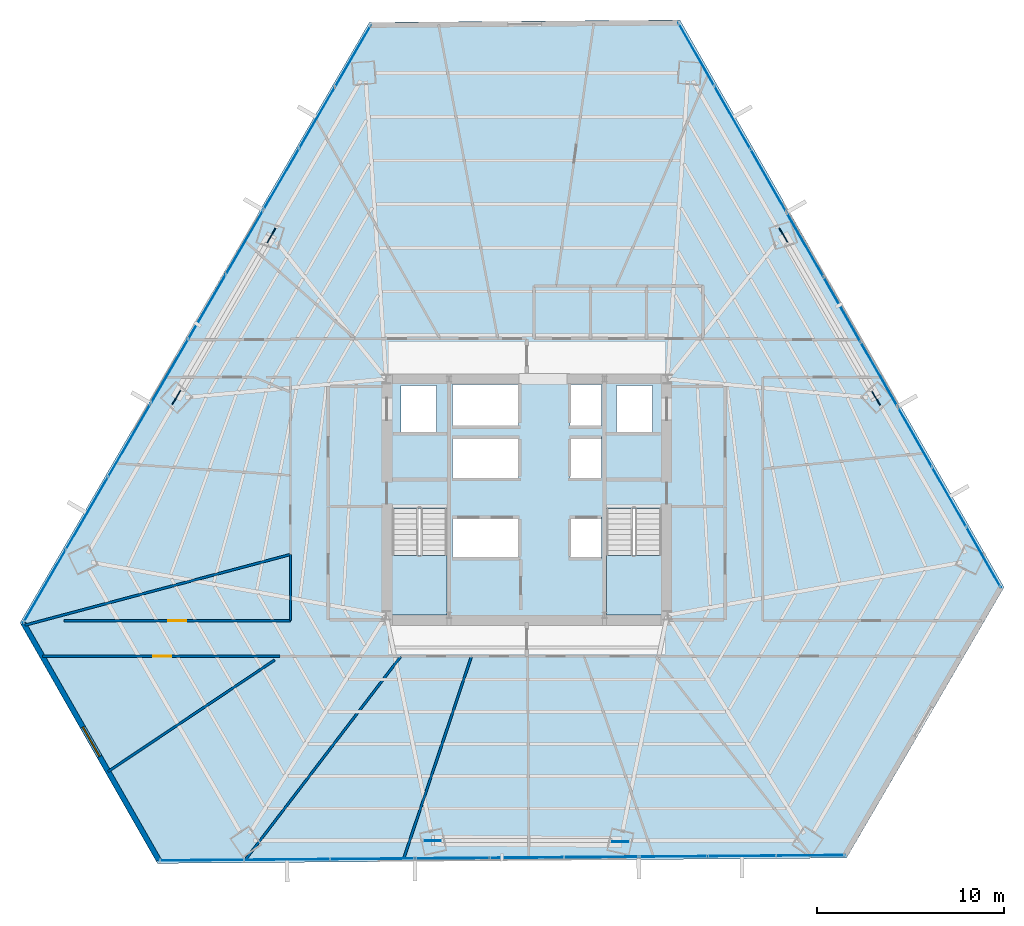
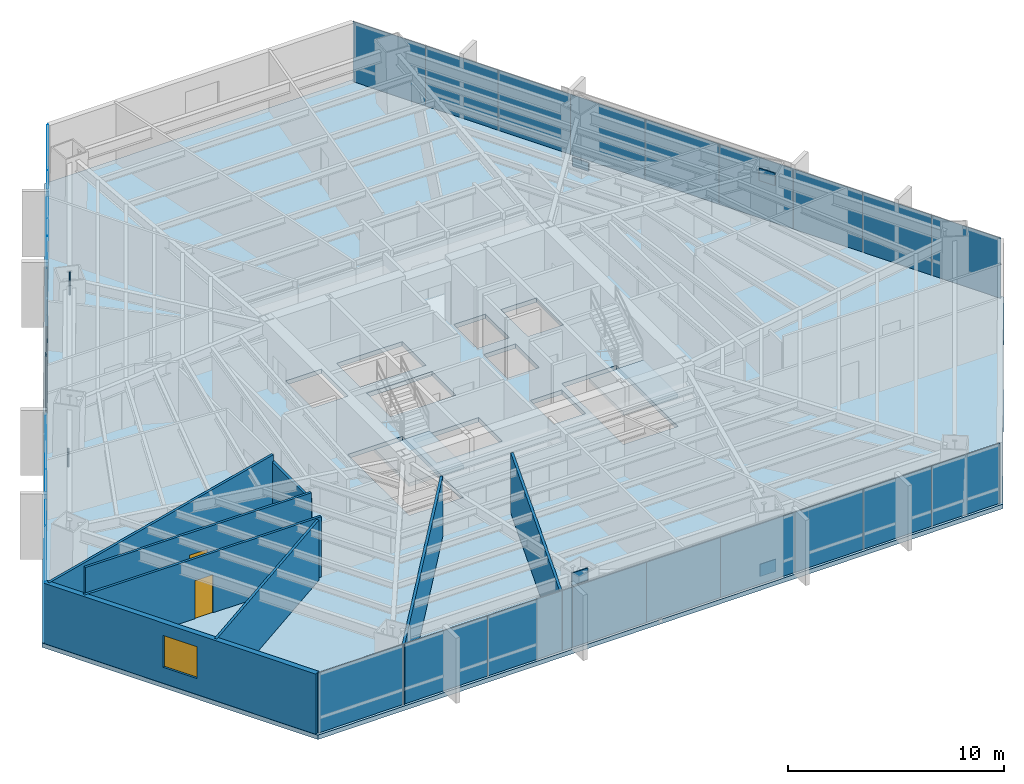
# One storey, part 28 of 35: 33 plates, 8 walls, 3 slabs, 2 doors, 1 window, 3 openings, 11 elements without a shape of their own.
"""IFC4 building model written with IfcOpenShell, lengths in metres."""

from ifc_helpers import new_model, si_unit, direction, frame, frame_2d, origin, origin_2d, place, context, subcontext, project, spatial, polyline, rectangle, outline, extrude, source, transform, mapped, material, layer, layer_set, type_object, type_shapes, element, fill, aggregate, save


model = new_model("IFC4")

# Units and contexts
model_context = context("Model", 3, precision=1e-05, world=origin(), true_north=direction((0.0, 1.0)))
body_context = subcontext(model_context, "Body", "Model", "MODEL_VIEW")
ifc_project = project(units=[si_unit("LENGTHUNIT", "METRE"), si_unit("AREAUNIT", "SQUARE_METRE"), si_unit("VOLUMEUNIT", "CUBIC_METRE"), si_unit("PLANEANGLEUNIT", "RADIAN"), si_unit("MASSUNIT", "GRAM", prefix="KILO")], contexts=[model_context])

# Site, building, storey
site_placement = place(None, origin())
site = spatial("IfcSite", under=ifc_project, at=site_placement, CompositionType="ELEMENT")
building_placement = place(site_placement, origin())
building = spatial("IfcBuilding", under=site, at=building_placement, Name="Caelisora Broadcast Tower", CompositionType="ELEMENT")
storey_placement = place(building_placement, frame((0.0, 0.0, 53.14990234375)))
storey = spatial("IfcBuildingStorey", under=building, at=storey_placement, Name="L13", CompositionType="ELEMENT", Elevation=53.14990234375)

# Slab
ifc_material_1 = material(Name="Concrete 40 MPa (AS 3600 N40)", Category="concrete")
ifc_layer_1 = layer(ifc_material_1, 0.25, Name="Concrete 40 MPa (AS 3600 N40)")
ifc_layer_set_1 = layer_set([ifc_layer_1], Name="Concrete 40 MPa (AS 3600 N40)")
slab_type_1 = type_object("IfcSlabType", Name="SL04", PredefinedType="FLOOR", material=ifc_layer_set_1)
slab_1_placement = place(storey_placement, frame((0.0, 0.0, -0.25)))
element("IfcSlab", 1, at=slab_1_placement, inside=storey, type_object=slab_type_1, Name="L13 suspended floor SL04", PredefinedType="FLOOR", context=body_context, shape_type="SweptSolid", body=[
    extrude(outline(polyline([(46.172119140625, 49.14990234375), (29.60107421875, 49.01904296875), (10.969970703125, 16.99609375), (18.302001953125, 4.160888671875), (55.05908203125, 4.451904296875), (63.4580078125, 18.888916015625), (46.172119140625, 49.14990234375)]), holes=[polyline([(30.820068359375, 17.39990234375), (33.739990234375, 17.39990234375), (33.739990234375, 23.080078125), (30.820068359375, 23.080078125), (30.820068359375, 17.39990234375)]), polyline([(42.260009765625, 17.39990234375), (45.179931640625, 17.39990234375), (45.179931640625, 23.080078125), (42.260009765625, 23.080078125), (42.260009765625, 17.39990234375)]), polyline([(42.800048828125, 27.14990234375), (44.699951171875, 27.14990234375), (44.699951171875, 29.64990234375), (42.800048828125, 29.64990234375), (42.800048828125, 27.14990234375)]), polyline([(40.300048828125, 20.429931640625), (42.0, 20.429931640625), (42.0, 22.6298828125), (40.300048828125, 22.6298828125), (40.300048828125, 20.429931640625)]), polyline([(40.300048828125, 24.719970703125), (42.0, 24.719970703125), (42.0, 26.919921875), (40.300048828125, 26.919921875), (40.300048828125, 24.719970703125)]), polyline([(40.300048828125, 27.5), (42.0, 27.5), (42.0, 29.699951171875), (40.300048828125, 29.699951171875), (40.300048828125, 27.5)]), polyline([(34.050048828125, 20.429931640625), (37.550048828125, 20.429931640625), (37.550048828125, 22.6298828125), (34.050048828125, 22.6298828125), (34.050048828125, 20.429931640625)]), polyline([(34.050048828125, 24.719970703125), (37.550048828125, 24.719970703125), (37.550048828125, 26.919921875), (34.050048828125, 26.919921875), (34.050048828125, 24.719970703125)]), polyline([(34.050048828125, 27.5), (37.550048828125, 27.5), (37.550048828125, 29.699951171875), (34.050048828125, 29.699951171875), (34.050048828125, 27.5)]), polyline([(31.300048828125, 27.14990234375), (33.199951171875, 27.14990234375), (33.199951171875, 29.64990234375), (31.300048828125, 29.64990234375), (31.300048828125, 27.14990234375)])]), origin(), (0.0, 0.0, 1.0), 0.25),
])

# Stair, slab
stair_type_1 = type_object("IfcStairType", Name="ST-1", PredefinedType="HALF_TURN_STAIR", material=ifc_material_1)
stair_1_placement = place(storey_placement, origin())
stair_1 = element("IfcStair", 2, at=stair_1_placement, inside=storey, type_object=stair_type_1, Name="L13 West Fire-Isolated Tower Stair", PredefinedType="HALF_TURN_STAIR")
ifc_layer_2 = layer(ifc_material_1, 0.199951171875, Name="Concrete 40 MPa (AS 3600 N40)")
ifc_layer_set_2 = layer_set([ifc_layer_2], Name="Concrete 40 MPa (AS 3600 N40)")
slab_type_2 = type_object("IfcSlabType", Name="STL-1", PredefinedType="LANDING", material=ifc_layer_set_2)
slab_2_placement = place(storey_placement, frame((0.0, 0.0, 1.625)))
slab_2 = element("IfcSlab", 3, at=slab_2_placement, type_object=slab_type_2, Name="ST-1 landing 1", PredefinedType="LANDING", context=body_context, shape_type="SweptSolid", body=[
    extrude(outline(polyline([(30.820068359375, 20.580078125), (30.820068359375, 17.39990234375), (33.739990234375, 17.39990234375), (33.739990234375, 20.580078125), (30.820068359375, 20.580078125)])), origin(), (0.0, 0.0, 1.0), 0.2001953125),
])
aggregate(stair_1, [slab_2])

stair_type_2 = type_object("IfcStairType", Name="ST-2", PredefinedType="HALF_TURN_STAIR", material=ifc_material_1)
stair_2_placement = place(storey_placement, origin())
stair_2 = element("IfcStair", 4, at=stair_2_placement, inside=storey, type_object=stair_type_2, Name="L13 East Fire-Isolated Tower Stair", PredefinedType="HALF_TURN_STAIR")
slab_3_placement = place(storey_placement, frame((0.0, 0.0, 1.625)))
slab_3 = element("IfcSlab", 5, at=slab_3_placement, type_object=slab_type_2, Name="ST-2 landing 1", PredefinedType="LANDING", context=body_context, shape_type="SweptSolid", body=[
    extrude(outline(polyline([(42.260009765625, 20.580078125), (42.260009765625, 17.39990234375), (45.179931640625, 17.39990234375), (45.179931640625, 20.580078125), (42.260009765625, 20.580078125)])), origin(), (0.0, 0.0, 1.0), 0.2001953125),
])
aggregate(stair_2, [slab_3])

# Plates
ifc_material_2 = material(Name="Steel Grade 350 L15 (AS/NZS 3678)", Category="steel")
ifc_layer_3 = layer(ifc_material_2, 0.050048828125, Name="Steel Grade 350 L15 (AS/NZS 3678)")
ifc_layer_set_3 = layer_set([ifc_layer_3], Name="Steel Grade 350 L15 (AS/NZS 3678)")
plate_type_1 = type_object("IfcPlateType", Name="GP03", PredefinedType="USERDEFINED", material=ifc_layer_set_3)
shared_shape_1 = source(origin(), body_context, "Body", "SweptSolid", [
    extrude(rectangle(XDim=0.85009765625, YDim=0.050048828125, at=origin_2d()), origin(), (0.0, 0.0, 1.0), 0.699951171875),
])
type_shapes(plate_type_1, [shared_shape_1])
for number, where, z_axis, x_axis, name in (
    (6, (24.37744140625, 37.648193359375, 2.72998046875), (0.0, 0.0, 1.0), (-0.5, -0.866025403784, 0.0), "L13 gusset plate GP03 (ND-L13-C02T)"),
    (7, (19.314453125, 29.023681640625, -0.22998046875), (0.0, 0.0, 1.0), (-0.5, -0.866025403784, 0.0), "L13 gusset plate GP03 (ND-L13-C03B)"),
    (8, (32.991455078125, 5.37841796875, 2.72998046875), (0.0, 0.0, 1.0), (1.0, 0.0, 0.0), "L13 gusset plate GP03 (ND-L13-C06T)"),
    (9, (42.9921875, 5.30615234375, -0.22998046875), (0.0, 0.0, 1.0), (1.0, 0.0, 0.0), "L13 gusset plate GP03 (ND-L13-C07B)"),
    (10, (56.631103515625, 28.973388671875, 2.72998046875), (0.0, 0.0, 1.0), (-0.5, 0.866025403784, 0.0), "L13 gusset plate GP03 (ND-L13-C10T)"),
    (11, (51.693359375, 37.67041015625, -0.22998046875), (0.0, 0.0, 1.0), (-0.5, 0.866025403784, 0.0), "L13 gusset plate GP03 (ND-L13-C11B)"),
):
    element("IfcPlate", number, at=place(storey_placement, frame(where, z_axis=z_axis, x_axis=x_axis)), inside=storey, type_object=plate_type_1, Name=name, ObjectType="GUSSET PLATE", PredefinedType="USERDEFINED", context=body_context, shape_type="MappedRepresentation", body=[
        mapped(shared_shape_1, transform((0.0, 0.0, 0.0), scale=1.0)),
    ])

# Curtain wall, plates
ifc_material_3 = material(Name="Unitised Aluminium and Low-E Glass Curtain Wall", Category="glass")
curtain_wall_type_1 = type_object("IfcCurtainWallType", Name="CW-Z1", PredefinedType="NOTDEFINED", material=ifc_material_3)
curtain_wall_1_placement = place(storey_placement, origin())
curtain_wall_1 = element("IfcCurtainWall", 12, at=curtain_wall_1_placement, inside=storey, type_object=curtain_wall_type_1, Name="L13 curtain wall CW-Z1", PredefinedType="NOTDEFINED")
ifc_material_4 = material(Name="Double Glazed Low-E Argon IGU", Category="glass")
ifc_layer_4 = layer(ifc_material_4, 0.035888671875, Name="Double Glazed Low-E Argon IGU")
ifc_layer_set_4 = layer_set([ifc_layer_4], Name="Double Glazed Low-E Argon IGU")
plate_type_2 = type_object("IfcPlateType", Name="CWP-02", PredefinedType="CURTAIN_PANEL", material=ifc_layer_set_4)
shared_shape_2 = source(origin(), body_context, "Body", "SweptSolid", [
    extrude(rectangle(XDim=3.879638671875, YDim=0.035888671875, at=origin_2d()), origin(), (0.0, 0.0, 1.0), 3.39990234375),
])
plate_1_placement = place(storey_placement, frame((47.047119140625, 47.314697265625, 0.000244140625), z_axis=(0.0, 0.0, 1.0), x_axis=(0.496064966839, -0.868285407383, 0.0)))
plate_1 = element("IfcPlate", 13, at=plate_1_placement, type_object=plate_type_2, Name="L13-CW-B01 glazed panel #1", PredefinedType="CURTAIN_PANEL", context=body_context, shape_type="MappedRepresentation", body=[
    mapped(shared_shape_2, transform((0.0, 0.0, 0.0), scale=1.0)),
])
plate_2_placement = place(storey_placement, frame((48.971435546875, 43.946044921875, 0.000244140625), z_axis=(0.0, 0.0, 1.0), x_axis=(0.496064966839, -0.868285407383, 0.0)))
plate_2 = element("IfcPlate", 14, at=plate_2_placement, type_object=plate_type_2, Name="L13-CW-B01 glazed panel #2", PredefinedType="CURTAIN_PANEL", context=body_context, shape_type="MappedRepresentation", body=[
    mapped(shared_shape_2, transform((0.0, 0.0, 0.0), scale=1.0)),
])
plate_3_placement = place(storey_placement, frame((50.89599609375, 40.577392578125, 0.000244140625), z_axis=(0.0, 0.0, 1.0), x_axis=(0.496064966839, -0.868285407383, 0.0)))
plate_3 = element("IfcPlate", 15, at=plate_3_placement, type_object=plate_type_2, Name="L13-CW-B01 glazed panel #3", PredefinedType="CURTAIN_PANEL", context=body_context, shape_type="MappedRepresentation", body=[
    mapped(shared_shape_2, transform((0.0, 0.0, 0.0), scale=1.0)),
])
aggregate(curtain_wall_1, [plate_1, plate_2, plate_3])

ifc_material_5 = material(Name="Unitised Aluminium Insulated Shadow-Box Spandrel Curtain Wall", Category="aluminium")
curtain_wall_type_2 = type_object("IfcCurtainWallType", Name="CW-SP1", PredefinedType="NOTDEFINED", material=ifc_material_5)
curtain_wall_2_placement = place(storey_placement, origin())
curtain_wall_2 = element("IfcCurtainWall", 16, at=curtain_wall_2_placement, inside=storey, type_object=curtain_wall_type_2, Name="L13 curtain wall CW-SP1", PredefinedType="NOTDEFINED")
ifc_material_6 = material(Name="Insulated Terracotta Shadow-Box Spandrel Panel", Category="aluminium")
ifc_layer_5 = layer(ifc_material_6, 0.0439453125, Name="Insulated Terracotta Shadow-Box Spandrel Panel")
ifc_layer_set_5 = layer_set([ifc_layer_5], Name="Insulated Terracotta Shadow-Box Spandrel Panel")
plate_type_3 = type_object("IfcPlateType", Name="CWP-10", PredefinedType="CURTAIN_PANEL", material=ifc_layer_set_5)
shared_shape_3 = source(origin(), body_context, "Body", "SweptSolid", [
    extrude(rectangle(XDim=3.974853515625, YDim=0.0439453125, at=origin_2d()), origin(), (0.0, 0.0, 1.0), 3.39990234375),
])
plate_4_placement = place(storey_placement, frame((52.848876953125, 37.15869140625, 0.000244140625), z_axis=(0.0, 0.0, 1.0), x_axis=(0.496064966839, -0.868285407383, 0.0)))
plate_4 = element("IfcPlate", 17, at=plate_4_placement, type_object=plate_type_3, Name="L13-CW-B02 spandrel panel #1", PredefinedType="CURTAIN_PANEL", context=body_context, shape_type="MappedRepresentation", body=[
    mapped(shared_shape_3, transform((0.0, 0.0, 0.0), scale=1.0)),
])
plate_5_placement = place(storey_placement, frame((54.8203125, 33.70751953125, 0.000244140625), z_axis=(0.0, 0.0, 1.0), x_axis=(0.496064966839, -0.868285407383, 0.0)))
plate_5 = element("IfcPlate", 18, at=plate_5_placement, type_object=plate_type_3, Name="L13-CW-B02 spandrel panel #2", PredefinedType="CURTAIN_PANEL", context=body_context, shape_type="MappedRepresentation", body=[
    mapped(shared_shape_3, transform((0.0, 0.0, 0.0), scale=1.0)),
])
plate_6_placement = place(storey_placement, frame((56.7919921875, 30.256103515625, 0.000244140625), z_axis=(0.0, 0.0, 1.0), x_axis=(0.496064966839, -0.868285407383, 0.0)))
plate_6 = element("IfcPlate", 19, at=plate_6_placement, type_object=plate_type_3, Name="L13-CW-B02 spandrel panel #3", PredefinedType="CURTAIN_PANEL", context=body_context, shape_type="MappedRepresentation", body=[
    mapped(shared_shape_3, transform((0.0, 0.0, 0.0), scale=1.0)),
])
aggregate(curtain_wall_2, [plate_4, plate_5, plate_6])

curtain_wall_3_placement = place(storey_placement, origin())
curtain_wall_3 = element("IfcCurtainWall", 20, at=curtain_wall_3_placement, inside=storey, type_object=curtain_wall_type_2, Name="L13 curtain wall CW-SP1", PredefinedType="NOTDEFINED")
plate_7_placement = place(storey_placement, frame((18.94970703125, 30.412841796875, 0.000244140625), z_axis=(0.0, 0.0, 1.0), x_axis=(0.50286909456, 0.864362582332, 0.0)))
plate_7 = element("IfcPlate", 21, at=plate_7_placement, type_object=plate_type_3, Name="L13-CW-B10 spandrel panel #1", PredefinedType="CURTAIN_PANEL", context=body_context, shape_type="MappedRepresentation", body=[
    mapped(shared_shape_3, transform((0.0, 0.0, 0.0), scale=1.0)),
])
plate_8_placement = place(storey_placement, frame((20.948486328125, 33.848388671875, 0.000244140625), z_axis=(0.0, 0.0, 1.0), x_axis=(0.50286909456, 0.864362582332, 0.0)))
plate_8 = element("IfcPlate", 22, at=plate_8_placement, type_object=plate_type_3, Name="L13-CW-B10 spandrel panel #2", PredefinedType="CURTAIN_PANEL", context=body_context, shape_type="MappedRepresentation", body=[
    mapped(shared_shape_3, transform((0.0, 0.0, 0.0), scale=1.0)),
])
plate_9_placement = place(storey_placement, frame((22.947265625, 37.2841796875, 0.000244140625), z_axis=(0.0, 0.0, 1.0), x_axis=(0.50286909456, 0.864362582332, 0.0)))
plate_9 = element("IfcPlate", 23, at=plate_9_placement, type_object=plate_type_3, Name="L13-CW-B10 spandrel panel #3", PredefinedType="CURTAIN_PANEL", context=body_context, shape_type="MappedRepresentation", body=[
    mapped(shared_shape_3, transform((0.0, 0.0, 0.0), scale=1.0)),
])
aggregate(curtain_wall_3, [plate_7, plate_8, plate_9])

curtain_wall_4_placement = place(storey_placement, origin())
curtain_wall_4 = element("IfcCurtainWall", 24, at=curtain_wall_4_placement, inside=storey, type_object=curtain_wall_type_1, Name="L13 curtain wall CW-Z1", PredefinedType="NOTDEFINED")
shared_shape_4 = source(origin(), body_context, "Body", "SweptSolid", [
    extrude(rectangle(XDim=3.697509765625, YDim=0.035888671875, at=origin_2d()), origin(), (0.0, 0.0, 1.0), 3.39990234375),
])
plate_10_placement = place(storey_placement, frame((58.69970703125, 26.91650390625, 0.000244140625), z_axis=(0.0, 0.0, 1.0), x_axis=(0.496064966839, -0.868285407383, 0.0)))
plate_10 = element("IfcPlate", 25, at=plate_10_placement, type_object=plate_type_2, Name="L13-CW-B03 glazed panel #1", PredefinedType="CURTAIN_PANEL", context=body_context, shape_type="MappedRepresentation", body=[
    mapped(shared_shape_4, transform((0.0, 0.0, 0.0), scale=1.0)),
])
plate_11_placement = place(storey_placement, frame((60.533935546875, 23.705810546875, 0.000244140625), z_axis=(0.0, 0.0, 1.0), x_axis=(0.496064966839, -0.868285407383, 0.0)))
plate_11 = element("IfcPlate", 26, at=plate_11_placement, type_object=plate_type_2, Name="L13-CW-B03 glazed panel #2", PredefinedType="CURTAIN_PANEL", context=body_context, shape_type="MappedRepresentation", body=[
    mapped(shared_shape_4, transform((0.0, 0.0, 0.0), scale=1.0)),
])
plate_12_placement = place(storey_placement, frame((62.367919921875, 20.495361328125, 0.000244140625), z_axis=(0.0, 0.0, 1.0), x_axis=(0.496064966839, -0.868285407383, 0.0)))
plate_12 = element("IfcPlate", 27, at=plate_12_placement, type_object=plate_type_2, Name="L13-CW-B03 glazed panel #3", PredefinedType="CURTAIN_PANEL", context=body_context, shape_type="MappedRepresentation", body=[
    mapped(shared_shape_4, transform((0.0, 0.0, 0.0), scale=1.0)),
])
aggregate(curtain_wall_4, [plate_10, plate_11, plate_12])

curtain_wall_5_placement = place(storey_placement, origin())
curtain_wall_5 = element("IfcCurtainWall", 28, at=curtain_wall_5_placement, inside=storey, type_object=curtain_wall_type_1, Name="L13 curtain wall CW-Z1", PredefinedType="NOTDEFINED")
shared_shape_5 = source(origin(), body_context, "Body", "SweptSolid", [
    extrude(rectangle(XDim=3.66455078125, YDim=0.035888671875, at=origin_2d()), origin(), (0.0, 0.0, 1.0), 3.39990234375),
])
plate_13_placement = place(storey_placement, frame((53.1396484375, 4.58642578125, 0.000244140625), z_axis=(0.0, 0.0, 1.0), x_axis=(-0.999969157645, -0.007853900889, 0.0)))
plate_13 = element("IfcPlate", 29, at=plate_13_placement, type_object=plate_type_2, Name="L13-CW-B05 glazed panel #1", PredefinedType="CURTAIN_PANEL", context=body_context, shape_type="MappedRepresentation", body=[
    mapped(shared_shape_5, transform((0.0, 0.0, 0.0), scale=1.0)),
])
plate_14_placement = place(storey_placement, frame((49.47509765625, 4.5576171875, 0.000244140625), z_axis=(0.0, 0.0, 1.0), x_axis=(-0.999969157645, -0.007853900889, 0.0)))
plate_14 = element("IfcPlate", 30, at=plate_14_placement, type_object=plate_type_2, Name="L13-CW-B05 glazed panel #2", PredefinedType="CURTAIN_PANEL", context=body_context, shape_type="MappedRepresentation", body=[
    mapped(shared_shape_5, transform((0.0, 0.0, 0.0), scale=1.0)),
])
plate_15_placement = place(storey_placement, frame((45.810791015625, 4.528564453125, 0.000244140625), z_axis=(0.0, 0.0, 1.0), x_axis=(-0.999969157645, -0.007853900889, 0.0)))
plate_15 = element("IfcPlate", 31, at=plate_15_placement, type_object=plate_type_2, Name="L13-CW-B05 glazed panel #3", PredefinedType="CURTAIN_PANEL", context=body_context, shape_type="MappedRepresentation", body=[
    mapped(shared_shape_5, transform((0.0, 0.0, 0.0), scale=1.0)),
])
aggregate(curtain_wall_5, [plate_13, plate_14, plate_15])

curtain_wall_6_placement = place(storey_placement, origin())
curtain_wall_6 = element("IfcCurtainWall", 32, at=curtain_wall_6_placement, inside=storey, type_object=curtain_wall_type_2, Name="L13 curtain wall CW-SP1", PredefinedType="NOTDEFINED")
shared_shape_6 = source(origin(), body_context, "Body", "SweptSolid", [
    extrude(rectangle(XDim=3.974609375, YDim=0.0439453125, at=origin_2d()), origin(), (0.0, 0.0, 1.0), 3.39990234375),
])
type_shapes(plate_type_3, [shared_shape_3, shared_shape_6])
plate_16_placement = place(storey_placement, frame((41.981201171875, 4.498291015625, 0.000244140625), z_axis=(0.0, 0.0, 1.0), x_axis=(-0.999969157645, -0.007853900889, 0.0)))
plate_16 = element("IfcPlate", 33, at=plate_16_placement, type_object=plate_type_3, Name="L13-CW-B06 spandrel panel #1", PredefinedType="CURTAIN_PANEL", context=body_context, shape_type="MappedRepresentation", body=[
    mapped(shared_shape_6, transform((0.0, 0.0, 0.0), scale=1.0)),
])
plate_17_placement = place(storey_placement, frame((38.006591796875, 4.467041015625, 0.000244140625), z_axis=(0.0, 0.0, 1.0), x_axis=(-0.999969157645, -0.007853900889, 0.0)))
plate_17 = element("IfcPlate", 34, at=plate_17_placement, type_object=plate_type_3, Name="L13-CW-B06 spandrel panel #2", PredefinedType="CURTAIN_PANEL", context=body_context, shape_type="MappedRepresentation", body=[
    mapped(shared_shape_6, transform((0.0, 0.0, 0.0), scale=1.0)),
])
plate_18_placement = place(storey_placement, frame((34.031982421875, 4.435546875, 0.000244140625), z_axis=(0.0, 0.0, 1.0), x_axis=(-0.999969157645, -0.007853900889, 0.0)))
plate_18 = element("IfcPlate", 35, at=plate_18_placement, type_object=plate_type_3, Name="L13-CW-B06 spandrel panel #3", PredefinedType="CURTAIN_PANEL", context=body_context, shape_type="MappedRepresentation", body=[
    mapped(shared_shape_6, transform((0.0, 0.0, 0.0), scale=1.0)),
])
aggregate(curtain_wall_6, [plate_16, plate_17, plate_18])

curtain_wall_7_placement = place(storey_placement, origin())
curtain_wall_7 = element("IfcCurtainWall", 36, at=curtain_wall_7_placement, inside=storey, type_object=curtain_wall_type_1, Name="L13 curtain wall CW-Z1", PredefinedType="NOTDEFINED")
shared_shape_7 = source(origin(), body_context, "Body", "SweptSolid", [
    extrude(rectangle(XDim=4.548583984375, YDim=0.035888671875, at=origin_2d()), origin(), (0.0, 0.0, 1.0), 3.39990234375),
])
plate_19_placement = place(storey_placement, frame((29.760498046875, 4.40185546875, 0.000244140625), z_axis=(0.0, 0.0, 1.0), x_axis=(-0.999969157645, -0.007853900889, 0.0)))
plate_19 = element("IfcPlate", 37, at=plate_19_placement, type_object=plate_type_2, Name="L13-CW-B07 glazed panel #1", PredefinedType="CURTAIN_PANEL", context=body_context, shape_type="MappedRepresentation", body=[
    mapped(shared_shape_7, transform((0.0, 0.0, 0.0), scale=1.0)),
])
plate_20_placement = place(storey_placement, frame((25.2119140625, 4.365966796875, 0.000244140625), z_axis=(0.0, 0.0, 1.0), x_axis=(-0.999969157645, -0.007853900889, 0.0)))
plate_20 = element("IfcPlate", 38, at=plate_20_placement, type_object=plate_type_2, Name="L13-CW-B07 glazed panel #2", PredefinedType="CURTAIN_PANEL", context=body_context, shape_type="MappedRepresentation", body=[
    mapped(shared_shape_7, transform((0.0, 0.0, 0.0), scale=1.0)),
])
plate_21_placement = place(storey_placement, frame((20.663330078125, 4.330078125, 0.000244140625), z_axis=(0.0, 0.0, 1.0), x_axis=(-0.999969157645, -0.007853900889, 0.0)))
plate_21 = element("IfcPlate", 39, at=plate_21_placement, type_object=plate_type_2, Name="L13-CW-B07 glazed panel #3", PredefinedType="CURTAIN_PANEL", context=body_context, shape_type="MappedRepresentation", body=[
    mapped(shared_shape_7, transform((0.0, 0.0, 0.0), scale=1.0)),
])
aggregate(curtain_wall_7, [plate_19, plate_20, plate_21])

curtain_wall_8_placement = place(storey_placement, origin())
curtain_wall_8 = element("IfcCurtainWall", 40, at=curtain_wall_8_placement, inside=storey, type_object=curtain_wall_type_1, Name="L13 curtain wall CW-Z1", PredefinedType="NOTDEFINED")
shared_shape_8 = source(origin(), body_context, "Body", "SweptSolid", [
    extrude(rectangle(XDim=4.5087890625, YDim=0.035888671875, at=origin_2d()), origin(), (0.0, 0.0, 1.0), 3.39990234375),
])
plate_22_placement = place(storey_placement, frame((12.276611328125, 18.943603515625, 0.000244140625), z_axis=(0.0, 0.0, 1.0), x_axis=(0.50286909456, 0.864362582332, 0.0)))
plate_22 = element("IfcPlate", 41, at=plate_22_placement, type_object=plate_type_2, Name="L13-CW-B09 glazed panel #1", PredefinedType="CURTAIN_PANEL", context=body_context, shape_type="MappedRepresentation", body=[
    mapped(shared_shape_8, transform((0.0, 0.0, 0.0), scale=1.0)),
])
plate_23_placement = place(storey_placement, frame((14.544189453125, 22.8408203125, 0.000244140625), z_axis=(0.0, 0.0, 1.0), x_axis=(0.50286909456, 0.864362582332, 0.0)))
plate_23 = element("IfcPlate", 42, at=plate_23_placement, type_object=plate_type_2, Name="L13-CW-B09 glazed panel #2", PredefinedType="CURTAIN_PANEL", context=body_context, shape_type="MappedRepresentation", body=[
    mapped(shared_shape_8, transform((0.0, 0.0, 0.0), scale=1.0)),
])
plate_24_placement = place(storey_placement, frame((16.8115234375, 26.73779296875, 0.000244140625), z_axis=(0.0, 0.0, 1.0), x_axis=(0.50286909456, 0.864362582332, 0.0)))
plate_24 = element("IfcPlate", 43, at=plate_24_placement, type_object=plate_type_2, Name="L13-CW-B09 glazed panel #3", PredefinedType="CURTAIN_PANEL", context=body_context, shape_type="MappedRepresentation", body=[
    mapped(shared_shape_8, transform((0.0, 0.0, 0.0), scale=1.0)),
])
aggregate(curtain_wall_8, [plate_22, plate_23, plate_24])

curtain_wall_9_placement = place(storey_placement, origin())
curtain_wall_9 = element("IfcCurtainWall", 44, at=curtain_wall_9_placement, inside=storey, type_object=curtain_wall_type_1, Name="L13 curtain wall CW-Z1", PredefinedType="NOTDEFINED")
shared_shape_9 = source(origin(), body_context, "Body", "SweptSolid", [
    extrude(rectangle(XDim=3.80224609375, YDim=0.035888671875, at=origin_2d()), origin(), (0.0, 0.0, 1.0), 3.39990234375),
])
type_shapes(plate_type_2, [shared_shape_2, shared_shape_4, shared_shape_5, shared_shape_7, shared_shape_8, shared_shape_9])
plate_25_placement = place(storey_placement, frame((24.90771484375, 40.65380859375, 0.000244140625), z_axis=(0.0, 0.0, 1.0), x_axis=(0.50286909456, 0.864362582332, 0.0)))
plate_25 = element("IfcPlate", 45, at=plate_25_placement, type_object=plate_type_2, Name="L13-CW-B11 glazed panel #1", PredefinedType="CURTAIN_PANEL", context=body_context, shape_type="MappedRepresentation", body=[
    mapped(shared_shape_9, transform((0.0, 0.0, 0.0), scale=1.0)),
])
plate_26_placement = place(storey_placement, frame((26.81982421875, 43.940185546875, 0.000244140625), z_axis=(0.0, 0.0, 1.0), x_axis=(0.50286909456, 0.864362582332, 0.0)))
plate_26 = element("IfcPlate", 46, at=plate_26_placement, type_object=plate_type_2, Name="L13-CW-B11 glazed panel #2", PredefinedType="CURTAIN_PANEL", context=body_context, shape_type="MappedRepresentation", body=[
    mapped(shared_shape_9, transform((0.0, 0.0, 0.0), scale=1.0)),
])
plate_27_placement = place(storey_placement, frame((28.73193359375, 47.226806640625, 0.000244140625), z_axis=(0.0, 0.0, 1.0), x_axis=(0.50286909456, 0.864362582332, 0.0)))
plate_27 = element("IfcPlate", 47, at=plate_27_placement, type_object=plate_type_2, Name="L13-CW-B11 glazed panel #3", PredefinedType="CURTAIN_PANEL", context=body_context, shape_type="MappedRepresentation", body=[
    mapped(shared_shape_9, transform((0.0, 0.0, 0.0), scale=1.0)),
])
aggregate(curtain_wall_9, [plate_25, plate_26, plate_27])

# Wall, opening, window
ifc_material_7 = material(Name="Insulated Terracotta Spandrel Wall System", Category="masonry")
ifc_layer_6 = layer(ifc_material_7, 0.280029296875, Name="Insulated Terracotta Spandrel Wall System")
ifc_layer_set_6 = layer_set([ifc_layer_6], Name="Insulated Terracotta Spandrel Wall System")
wall_type_1 = type_object("IfcWallType", Name="EW1", PredefinedType="STANDARD", material=ifc_layer_set_6)
wall_1_placement = place(storey_placement, frame((18.3740234375, 4.337890625, 0.0), z_axis=(0.0, 0.0, 1.0), x_axis=(-0.496050374025, 0.868293744322, 0.0)))
wall_1 = element("IfcWall", 48, at=wall_1_placement, inside=storey, type_object=wall_type_1, Name="L13 exterior envelope wall EW1", PredefinedType="STANDARD", context=body_context, shape_type="SweptSolid", body=[
    extrude(rectangle(XDim=14.547119140625, YDim=0.280029296875, at=frame_2d((7.2734375, 0.0))), origin(), (0.0, 0.0, 1.0), 3.400146484375),
])
opening_1_placement = place(wall_1_placement, frame((6.3701171875, 0.0, 0.89990234375)))
opening_1 = element("IfcOpeningElement", 49, at=opening_1_placement, cuts=wall_1, Name="Opening W01", PredefinedType="OPENING", context=body_context, shape_type="SweptSolid", body=[
    extrude(rectangle(XDim=1.800048828125, YDim=1.800048828125, at=frame_2d((0.89990234375, 0.89990234375))), frame((0.0, 0.152099609375, 0.0), z_axis=(0.0, -1.0, 0.0), x_axis=(1.0, 0.0, 0.0)), (0.0, 0.0, 1.0), 0.303955078125),
])
ifc_material_8 = material(Name="Double Glazed Terracotta-Framed Vision Window", Category="glass")
window_type = type_object("IfcWindowType", Name="W01", PartitioningType="SINGLE_PANEL", PredefinedType="WINDOW", material=ifc_material_8)
window_placement = place(opening_1_placement, origin())
window = element("IfcWindow", 50, at=window_placement, inside=storey, type_object=window_type, Name="L13 window W01 (L13-WN-CH4)", OverallHeight=1.800048828125, OverallWidth=1.800048828125, PartitioningType="SINGLE_PANEL", PredefinedType="WINDOW", context=body_context, shape_type="SweptSolid", body=[
    extrude(rectangle(XDim=1.800048828125, YDim=1.800048828125, at=frame_2d((0.89990234375, 0.89990234375))), frame((0.0, 0.030029296875, 0.0), z_axis=(0.0, -1.0, 0.0), x_axis=(1.0, 0.0, 0.0)), (0.0, 0.0, 1.0), 0.06005859375),
])
fill(opening_1, window)

# Walls
ifc_material_9 = material(Name="Acoustic Steel-Stud Plasterboard Partition", Category="gypsum")
ifc_layer_7 = layer(ifc_material_9, 0.1298828125, Name="Acoustic Steel-Stud Plasterboard Partition")
ifc_layer_set_7 = layer_set([ifc_layer_7], Name="Acoustic Steel-Stud Plasterboard Partition")
wall_type_2 = type_object("IfcWallType", Name="PW3", PredefinedType="PARTITIONING", material=ifc_layer_set_7)
wall_2_placement = place(storey_placement, frame((22.981201171875, 4.343017578125, 0.0), z_axis=(0.0, 0.0, 1.0), x_axis=(0.607289559605, 0.794480579243, 0.0)))
element("IfcWall", 51, at=wall_2_placement, inside=storey, type_object=wall_type_2, Name="L13 internal partition PW3", PredefinedType="PARTITIONING", context=body_context, shape_type="SweptSolid", body=[
    extrude(rectangle(XDim=13.66064453125, YDim=0.1298828125, at=frame_2d((6.830322265625, 0.0))), origin(), (0.0, 0.0, 1.0), 3.400146484375),
])
wall_3_placement = place(storey_placement, frame((11.237060546875, 16.869873046875, 0.0), z_axis=(0.0, 0.0, 1.0), x_axis=(0.966343824017, 0.257253986915, 0.0)))
element("IfcWall", 52, at=wall_3_placement, inside=storey, type_object=wall_type_2, Name="L13 internal partition PW3", PredefinedType="PARTITIONING", context=body_context, shape_type="SweptSolid", body=[
    extrude(rectangle(XDim=14.651123046875, YDim=0.1298828125, at=frame_2d((7.32568359375, 0.0))), origin(), (0.0, 0.0, 1.0), 3.400146484375),
])

# Wall, opening, door
wall_4_placement = place(storey_placement, frame((13.318115234375, 17.10009765625, 0.0), z_axis=(0.0, 0.0, 1.0), x_axis=(1.0, 0.0, 0.0)))
wall_4 = element("IfcWall", 53, at=wall_4_placement, inside=storey, type_object=wall_type_2, Name="L13 internal partition PW3", PredefinedType="PARTITIONING", context=body_context, shape_type="SweptSolid", body=[
    extrude(rectangle(XDim=12.076904296875, YDim=0.1298828125, at=frame_2d((6.03857421875, 0.0))), origin(), (0.0, 0.0, 1.0), 3.400146484375),
])
opening_2_placement = place(wall_4_placement, frame((5.55908203125, 0.0, 0.0)))
opening_2 = element("IfcOpeningElement", 54, at=opening_2_placement, cuts=wall_4, Name="Opening D01", PredefinedType="OPENING", context=body_context, shape_type="SweptSolid", body=[
    extrude(rectangle(XDim=0.9599609375, YDim=2.14990234375, at=frame_2d((0.47998046875, 1.074951171875))), frame((0.0, 0.076904296875, 0.0), z_axis=(0.0, -1.0, 0.0), x_axis=(1.0, 0.0, 0.0)), (0.0, 0.0, 1.0), 0.15380859375),
])
ifc_material_10 = material(Name="Solid-Core Timber Acoustic Office Door", Category="wood")
door_type = type_object("IfcDoorType", Name="D01", OperationType="NOTDEFINED", PredefinedType="DOOR", material=ifc_material_10)
door_1_placement = place(opening_2_placement, origin())
door_1 = element("IfcDoor", 55, at=door_1_placement, inside=storey, type_object=door_type, Name="L13 door D01 (L13-DR-P35D1)", OperationType="SINGLE_SWING_LEFT", OverallHeight=2.14990234375, OverallWidth=0.9599609375, PredefinedType="DOOR", context=body_context, shape_type="SweptSolid", body=[
    extrude(rectangle(XDim=0.9599609375, YDim=2.14990234375, at=frame_2d((0.47998046875, 1.074951171875))), frame((0.0, 0.02490234375, 0.0), z_axis=(0.0, -1.0, 0.0), x_axis=(1.0, 0.0, 0.0)), (0.0, 0.0, 1.0), 0.050048828125),
])
fill(opening_2, door_1)

wall_5_placement = place(storey_placement, frame((12.1630859375, 15.199951171875, 0.0), z_axis=(0.0, 0.0, 1.0), x_axis=(1.0, 0.0, 0.0)))
wall_5 = element("IfcWall", 56, at=wall_5_placement, inside=storey, type_object=wall_type_2, Name="L13 internal partition PW3", PredefinedType="PARTITIONING", context=body_context, shape_type="SweptSolid", body=[
    extrude(rectangle(XDim=12.671875, YDim=0.1298828125, at=frame_2d((6.3359375, 0.0))), origin(), (0.0, 0.0, 1.0), 3.400146484375),
])
opening_3_placement = place(wall_5_placement, frame((5.912109375, 0.0, 0.0)))
opening_3 = element("IfcOpeningElement", 57, at=opening_3_placement, cuts=wall_5, Name="Opening D01", PredefinedType="OPENING", context=body_context, shape_type="SweptSolid", body=[
    extrude(rectangle(XDim=0.9599609375, YDim=2.14990234375, at=frame_2d((0.47998046875, 1.074951171875))), frame((0.0, 0.076904296875, 0.0), z_axis=(0.0, -1.0, 0.0), x_axis=(1.0, 0.0, 0.0)), (0.0, 0.0, 1.0), 0.15380859375),
])
door_2_placement = place(opening_3_placement, origin())
door_2 = element("IfcDoor", 58, at=door_2_placement, inside=storey, type_object=door_type, Name="L13 door D01 (L13-DR-P36D1)", OperationType="SINGLE_SWING_RIGHT", OverallHeight=2.14990234375, OverallWidth=0.9599609375, PredefinedType="DOOR", context=body_context, shape_type="SweptSolid", body=[
    extrude(rectangle(XDim=0.9599609375, YDim=2.14990234375, at=frame_2d((0.47998046875, 1.074951171875))), frame((0.0, 0.02490234375, 0.0), z_axis=(0.0, -1.0, 0.0), x_axis=(1.0, 0.0, 0.0)), (0.0, 0.0, 1.0), 0.050048828125),
])
fill(opening_3, door_2)

# Walls
wall_6_placement = place(storey_placement, frame((31.43359375, 4.409912109375, 0.0), z_axis=(0.0, 0.0, 1.0), x_axis=(0.317766278837, 0.948169073549, 0.0)))
element("IfcWall", 59, at=wall_6_placement, inside=storey, type_object=wall_type_2, Name="L13 internal partition PW3", PredefinedType="PARTITIONING", context=body_context, shape_type="SweptSolid", body=[
    extrude(rectangle(XDim=11.374755859375, YDim=0.1298828125, at=frame_2d((5.6875, 0.0))), origin(), (0.0, 0.0, 1.0), 3.400146484375),
])
wall_7_placement = place(storey_placement, frame((15.6689453125, 9.062744140625, 0.0), z_axis=(0.0, 0.0, 1.0), x_axis=(0.831100784327, 0.556121826843, 0.0)))
element("IfcWall", 60, at=wall_7_placement, inside=storey, type_object=wall_type_2, Name="L13 internal partition PW3", PredefinedType="PARTITIONING", context=body_context, shape_type="SweptSolid", body=[
    extrude(rectangle(XDim=10.694091796875, YDim=0.1298828125, at=frame_2d((5.34716796875, 0.0))), origin(), (0.0, 0.0, 1.0), 3.400146484375),
])
wall_8_placement = place(storey_placement, frame((25.39990234375, 17.10498046875, 0.0), z_axis=(0.0, 0.0, 1.0), x_axis=(0.0, 1.0, 0.0)))
element("IfcWall", 61, at=wall_8_placement, inside=storey, type_object=wall_type_2, Name="L13 internal partition PW3", PredefinedType="PARTITIONING", context=body_context, shape_type="SweptSolid", body=[
    extrude(rectangle(XDim=3.530029296875, YDim=0.1298828125, at=frame_2d((1.76513671875, 0.0))), origin(), (0.0, 0.0, 1.0), 3.026611328125),
])

save(model, "model.ifc")
